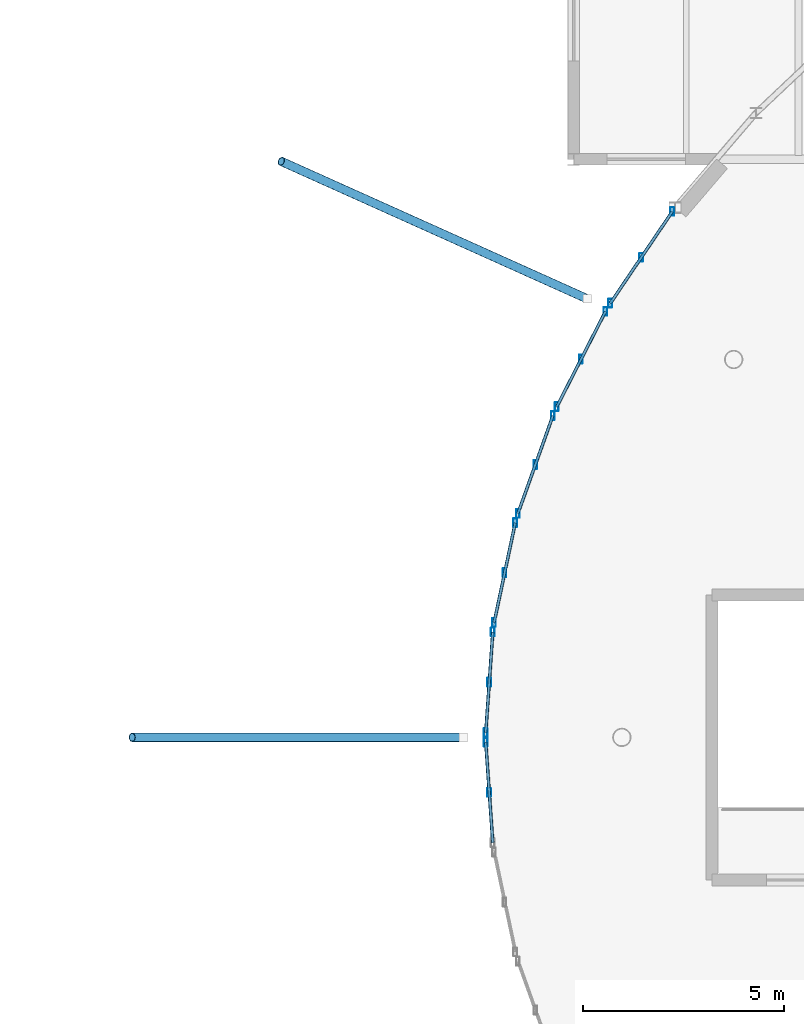
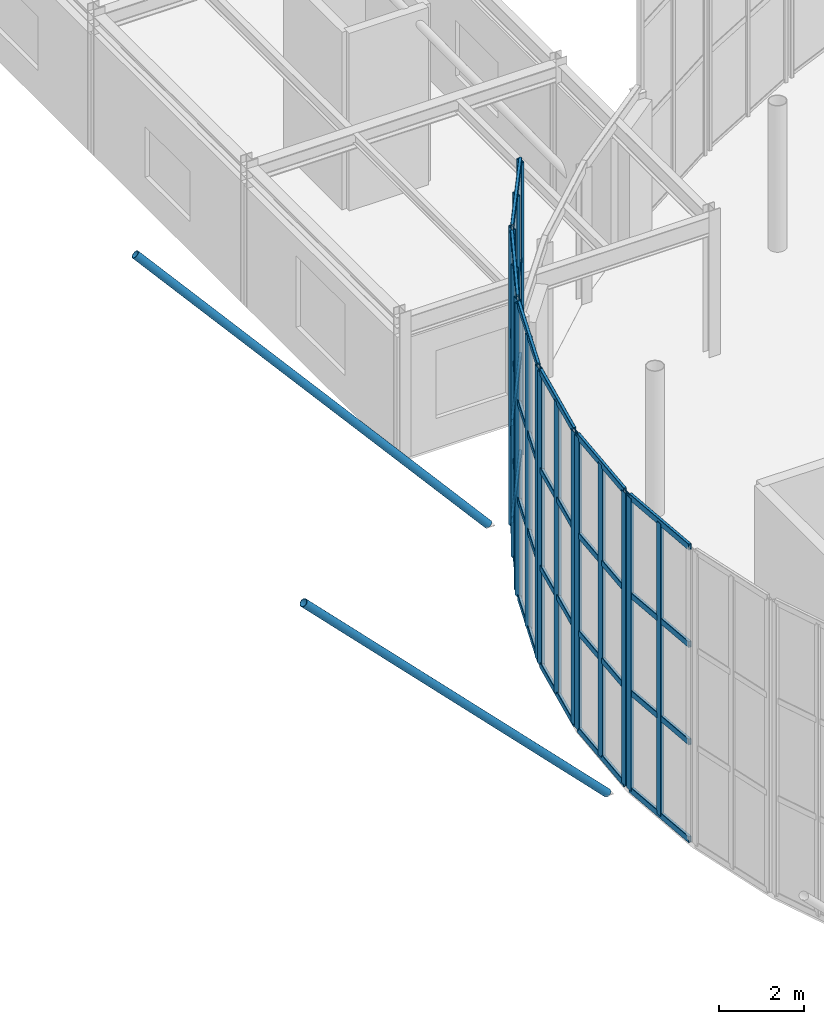
# One storey, part 24 of 109: 43 members, 6 elements without a shape of their own.
"""IFC4 building model written with IfcOpenShell, lengths in metres."""

from ifc_helpers import new_model, si_unit, derived_unit, direction, frame, origin, origin_2d, place, context, subcontext, project, spatial, hollow_rectangle, hollow_circle, extrude, material, material_profile, profile_set, type_object, element, aggregate, save


model = new_model("IFC4")

# Units and contexts
model_context = context("Model", 3, precision=1e-05, world=origin(), true_north=direction((0.0, 1.0)))
body_context = subcontext(model_context, "Body", "Model", "MODEL_VIEW")
ifc_project = project(units=[si_unit("LENGTHUNIT", "METRE"), si_unit("AREAUNIT", "SQUARE_METRE"), si_unit("VOLUMEUNIT", "CUBIC_METRE"), si_unit("PLANEANGLEUNIT", "RADIAN"), si_unit("MASSUNIT", "GRAM", prefix="KILO"), derived_unit("THERMALTRANSMITTANCEUNIT", [(si_unit("MASSUNIT", "GRAM", prefix="KILO"), 1), (si_unit("TIMEUNIT", "SECOND"), -3), (si_unit("THERMODYNAMICTEMPERATUREUNIT", "KELVIN"), -1)])], contexts=[model_context])

# Site, building, storey
site_placement = place(None, origin())
site = spatial("IfcSite", under=ifc_project, at=site_placement, CompositionType="ELEMENT")
building_placement = place(site_placement, origin())
building = spatial("IfcBuilding", under=site, at=building_placement, Name="Kharveza Railside Sports Centre", CompositionType="ELEMENT")
storey_placement = place(building_placement, frame((0.0, 0.0, 4.5)))
storey = spatial("IfcBuildingStorey", under=building, at=storey_placement, Name="L01", CompositionType="ELEMENT", Elevation=4.5)

# Curtain wall, members
ifc_material_1 = material(Name="Low-E solar-control laminated glass", Category="glass")
curtain_wall_type = type_object("IfcCurtainWallType", Name="CW-DR01", PredefinedType="NOTDEFINED", material=ifc_material_1)
curtain_wall_1_placement = place(storey_placement, origin())
curtain_wall_1 = element("IfcCurtainWall", 1, at=curtain_wall_1_placement, inside=storey, type_object=curtain_wall_type, Name="CW-DRUM-28", PredefinedType="NOTDEFINED")
ifc_material_2 = material(Name="Anodised aluminium 6063-T6", Category="aluminium")
ifc_material_profile_1 = material_profile(ifc_material_2, hollow_rectangle(XDim=0.090087890625, YDim=0.219970703125, WallThickness=0.008056640625, InnerFilletRadius=0.008056640625, OuterFilletRadius=0.01611328125, at=origin_2d()), Name="RHS 90x220x8.0")
ifc_profile_set_1 = profile_set([ifc_material_profile_1], Name="Anodised aluminium 6063-T6")
member_type_1 = type_object("IfcMemberType", Name="CW-ML01", PredefinedType="MULLION", material=ifc_profile_set_1)
member_1_placement = place(storey_placement, frame((19.256103515625, 63.499755859375, 0.0), z_axis=(0.0, 0.0, 1.0), x_axis=(1.0, 0.0, 0.0)))
member_1 = element("IfcMember", 2, at=member_1_placement, type_object=member_type_1, Name="CW-DRUM-28-ML1", PredefinedType="MULLION", context=body_context, shape_type="SweptSolid", body=[
    extrude(hollow_rectangle(XDim=0.090087890625, YDim=0.219970703125, WallThickness=0.008056640625, InnerFilletRadius=0.008056640625, OuterFilletRadius=0.01611328125, at=origin_2d()), origin(), (0.0, 0.0, 1.0), 8.39990234375),
])
member_2_placement = place(storey_placement, frame((18.48388671875, 62.357177734375, 0.0), z_axis=(0.0, 0.0, 1.0), x_axis=(1.0, 0.0, 0.0)))
member_2 = element("IfcMember", 3, at=member_2_placement, type_object=member_type_1, Name="CW-DRUM-28-ML2", PredefinedType="MULLION", context=body_context, shape_type="SweptSolid", body=[
    extrude(hollow_rectangle(XDim=0.090087890625, YDim=0.219970703125, WallThickness=0.008056640625, InnerFilletRadius=0.008056640625, OuterFilletRadius=0.01611328125, at=origin_2d()), origin(), (0.0, 0.0, 1.0), 8.39990234375),
])
member_3_placement = place(storey_placement, frame((17.7119140625, 61.214599609375, 0.0), z_axis=(0.0, 0.0, 1.0), x_axis=(1.0, 0.0, 0.0)))
member_3 = element("IfcMember", 4, at=member_3_placement, type_object=member_type_1, Name="CW-DRUM-28-ML3", PredefinedType="MULLION", context=body_context, shape_type="SweptSolid", body=[
    extrude(hollow_rectangle(XDim=0.090087890625, YDim=0.219970703125, WallThickness=0.008056640625, InnerFilletRadius=0.008056640625, OuterFilletRadius=0.01611328125, at=origin_2d()), origin(), (0.0, 0.0, 1.0), 8.39990234375),
])

curtain_wall_2_placement = place(storey_placement, origin())
curtain_wall_2 = element("IfcCurtainWall", 5, at=curtain_wall_2_placement, inside=storey, type_object=curtain_wall_type, Name="CW-DRUM-29", PredefinedType="NOTDEFINED")
member_4_placement = place(storey_placement, frame((17.590087890625, 61.00830078125, 0.0), z_axis=(0.0, 0.0, 1.0), x_axis=(1.0, 0.0, 0.0)))
member_4 = element("IfcMember", 6, at=member_4_placement, type_object=member_type_1, Name="CW-DRUM-29-ML1", PredefinedType="MULLION", context=body_context, shape_type="SweptSolid", body=[
    extrude(hollow_rectangle(XDim=0.090087890625, YDim=0.219970703125, WallThickness=0.008056640625, InnerFilletRadius=0.008056640625, OuterFilletRadius=0.01611328125, at=origin_2d()), origin(), (0.0, 0.0, 1.0), 8.39990234375),
])
member_5_placement = place(storey_placement, frame((16.983642578125, 59.821533203125, 0.0), z_axis=(0.0, 0.0, 1.0), x_axis=(1.0, 0.0, 0.0)))
member_5 = element("IfcMember", 7, at=member_5_placement, type_object=member_type_1, Name="CW-DRUM-29-ML2", PredefinedType="MULLION", context=body_context, shape_type="SweptSolid", body=[
    extrude(hollow_rectangle(XDim=0.090087890625, YDim=0.219970703125, WallThickness=0.008056640625, InnerFilletRadius=0.008056640625, OuterFilletRadius=0.01611328125, at=origin_2d()), origin(), (0.0, 0.0, 1.0), 8.39990234375),
])
member_6_placement = place(storey_placement, frame((16.376953125, 58.634765625, 0.0), z_axis=(0.0, 0.0, 1.0), x_axis=(1.0, 0.0, 0.0)))
member_6 = element("IfcMember", 8, at=member_6_placement, type_object=member_type_1, Name="CW-DRUM-29-ML3", PredefinedType="MULLION", context=body_context, shape_type="SweptSolid", body=[
    extrude(hollow_rectangle(XDim=0.090087890625, YDim=0.219970703125, WallThickness=0.008056640625, InnerFilletRadius=0.008056640625, OuterFilletRadius=0.01611328125, at=origin_2d()), origin(), (0.0, 0.0, 1.0), 8.39990234375),
])

curtain_wall_3_placement = place(storey_placement, origin())
curtain_wall_3 = element("IfcCurtainWall", 9, at=curtain_wall_3_placement, inside=storey, type_object=curtain_wall_type, Name="CW-DRUM-30", PredefinedType="NOTDEFINED")
member_7_placement = place(storey_placement, frame((16.281982421875, 58.4150390625, 0.0), z_axis=(0.0, 0.0, 1.0), x_axis=(1.0, 0.0, 0.0)))
member_7 = element("IfcMember", 10, at=member_7_placement, type_object=member_type_1, Name="CW-DRUM-30-ML1", PredefinedType="MULLION", context=body_context, shape_type="SweptSolid", body=[
    extrude(hollow_rectangle(XDim=0.090087890625, YDim=0.219970703125, WallThickness=0.008056640625, InnerFilletRadius=0.008056640625, OuterFilletRadius=0.01611328125, at=origin_2d()), origin(), (0.0, 0.0, 1.0), 8.39990234375),
])
member_8_placement = place(storey_placement, frame((15.845458984375, 57.1953125, 0.0), z_axis=(0.0, 0.0, 1.0), x_axis=(1.0, 0.0, 0.0)))
member_8 = element("IfcMember", 11, at=member_8_placement, type_object=member_type_1, Name="CW-DRUM-30-ML2", PredefinedType="MULLION", context=body_context, shape_type="SweptSolid", body=[
    extrude(hollow_rectangle(XDim=0.090087890625, YDim=0.219970703125, WallThickness=0.008056640625, InnerFilletRadius=0.008056640625, OuterFilletRadius=0.01611328125, at=origin_2d()), origin(), (0.0, 0.0, 1.0), 8.39990234375),
])
member_9_placement = place(storey_placement, frame((15.408935546875, 55.9755859375, 0.0), z_axis=(0.0, 0.0, 1.0), x_axis=(1.0, 0.0, 0.0)))
member_9 = element("IfcMember", 12, at=member_9_placement, type_object=member_type_1, Name="CW-DRUM-30-ML3", PredefinedType="MULLION", context=body_context, shape_type="SweptSolid", body=[
    extrude(hollow_rectangle(XDim=0.090087890625, YDim=0.219970703125, WallThickness=0.008056640625, InnerFilletRadius=0.008056640625, OuterFilletRadius=0.01611328125, at=origin_2d()), origin(), (0.0, 0.0, 1.0), 8.39990234375),
])

curtain_wall_4_placement = place(storey_placement, origin())
curtain_wall_4 = element("IfcCurtainWall", 13, at=curtain_wall_4_placement, inside=storey, type_object=curtain_wall_type, Name="CW-DRUM-31", PredefinedType="NOTDEFINED")
member_10_placement = place(storey_placement, frame((15.34375, 55.7451171875, 0.0), z_axis=(0.0, 0.0, 1.0), x_axis=(1.0, 0.0, 0.0)))
member_10 = element("IfcMember", 14, at=member_10_placement, type_object=member_type_1, Name="CW-DRUM-31-ML1", PredefinedType="MULLION", context=body_context, shape_type="SweptSolid", body=[
    extrude(hollow_rectangle(XDim=0.090087890625, YDim=0.219970703125, WallThickness=0.008056640625, InnerFilletRadius=0.008056640625, OuterFilletRadius=0.01611328125, at=origin_2d()), origin(), (0.0, 0.0, 1.0), 8.39990234375),
])
member_11_placement = place(storey_placement, frame((15.08056640625, 54.50341796875, 0.0), z_axis=(0.0, 0.0, 1.0), x_axis=(1.0, 0.0, 0.0)))
member_11 = element("IfcMember", 15, at=member_11_placement, type_object=member_type_1, Name="CW-DRUM-31-ML2", PredefinedType="MULLION", context=body_context, shape_type="SweptSolid", body=[
    extrude(hollow_rectangle(XDim=0.090087890625, YDim=0.219970703125, WallThickness=0.008056640625, InnerFilletRadius=0.008056640625, OuterFilletRadius=0.01611328125, at=origin_2d()), origin(), (0.0, 0.0, 1.0), 8.39990234375),
])
member_12_placement = place(storey_placement, frame((14.8173828125, 53.261962890625, 0.0), z_axis=(0.0, 0.0, 1.0), x_axis=(1.0, 0.0, 0.0)))
member_12 = element("IfcMember", 16, at=member_12_placement, type_object=member_type_1, Name="CW-DRUM-31-ML3", PredefinedType="MULLION", context=body_context, shape_type="SweptSolid", body=[
    extrude(hollow_rectangle(XDim=0.090087890625, YDim=0.219970703125, WallThickness=0.008056640625, InnerFilletRadius=0.008056640625, OuterFilletRadius=0.01611328125, at=origin_2d()), origin(), (0.0, 0.0, 1.0), 8.39990234375),
])

curtain_wall_5_placement = place(storey_placement, origin())
curtain_wall_5 = element("IfcCurtainWall", 17, at=curtain_wall_5_placement, inside=storey, type_object=curtain_wall_type, Name="CW-DRUM-32", PredefinedType="NOTDEFINED")
member_13_placement = place(storey_placement, frame((14.7841796875, 53.02490234375, 0.0), z_axis=(0.0, 0.0, 1.0), x_axis=(1.0, 0.0, 0.0)))
member_13 = element("IfcMember", 18, at=member_13_placement, type_object=member_type_1, Name="CW-DRUM-32-ML1", PredefinedType="MULLION", context=body_context, shape_type="SweptSolid", body=[
    extrude(hollow_rectangle(XDim=0.090087890625, YDim=0.219970703125, WallThickness=0.008056640625, InnerFilletRadius=0.008056640625, OuterFilletRadius=0.01611328125, at=origin_2d()), origin(), (0.0, 0.0, 1.0), 8.39990234375),
])
member_14_placement = place(storey_placement, frame((14.6962890625, 51.772216796875, 0.0), z_axis=(0.0, 0.0, 1.0), x_axis=(1.0, 0.0, 0.0)))
member_14 = element("IfcMember", 19, at=member_14_placement, type_object=member_type_1, Name="CW-DRUM-32-ML2", PredefinedType="MULLION", context=body_context, shape_type="SweptSolid", body=[
    extrude(hollow_rectangle(XDim=0.090087890625, YDim=0.219970703125, WallThickness=0.008056640625, InnerFilletRadius=0.008056640625, OuterFilletRadius=0.01611328125, at=origin_2d()), origin(), (0.0, 0.0, 1.0), 8.39990234375),
])
member_15_placement = place(storey_placement, frame((14.6083984375, 50.519775390625, 0.0), z_axis=(0.0, 0.0, 1.0), x_axis=(1.0, 0.0, 0.0)))
member_15 = element("IfcMember", 20, at=member_15_placement, type_object=member_type_1, Name="CW-DRUM-32-ML3", PredefinedType="MULLION", context=body_context, shape_type="SweptSolid", body=[
    extrude(hollow_rectangle(XDim=0.090087890625, YDim=0.219970703125, WallThickness=0.008056640625, InnerFilletRadius=0.008056640625, OuterFilletRadius=0.01611328125, at=origin_2d()), origin(), (0.0, 0.0, 1.0), 8.39990234375),
])

curtain_wall_6_placement = place(storey_placement, origin())
curtain_wall_6 = element("IfcCurtainWall", 21, at=curtain_wall_6_placement, inside=storey, type_object=curtain_wall_type, Name="CW-DRUM-33", PredefinedType="NOTDEFINED")
member_16_placement = place(storey_placement, frame((14.6083984375, 50.2802734375, 0.0), z_axis=(0.0, 0.0, 1.0), x_axis=(1.0, 0.0, 0.0)))
member_16 = element("IfcMember", 22, at=member_16_placement, type_object=member_type_1, Name="CW-DRUM-33-ML1", PredefinedType="MULLION", context=body_context, shape_type="SweptSolid", body=[
    extrude(hollow_rectangle(XDim=0.090087890625, YDim=0.219970703125, WallThickness=0.008056640625, InnerFilletRadius=0.008056640625, OuterFilletRadius=0.01611328125, at=origin_2d()), origin(), (0.0, 0.0, 1.0), 8.39990234375),
])
member_17_placement = place(storey_placement, frame((14.6962890625, 49.02783203125, 0.0), z_axis=(0.0, 0.0, 1.0), x_axis=(1.0, 0.0, 0.0)))
member_17 = element("IfcMember", 23, at=member_17_placement, type_object=member_type_1, Name="CW-DRUM-33-ML2", PredefinedType="MULLION", context=body_context, shape_type="SweptSolid", body=[
    extrude(hollow_rectangle(XDim=0.090087890625, YDim=0.219970703125, WallThickness=0.008056640625, InnerFilletRadius=0.008056640625, OuterFilletRadius=0.01611328125, at=origin_2d()), origin(), (0.0, 0.0, 1.0), 8.39990234375),
])

# Member
ifc_material_profile_2 = material_profile(ifc_material_2, hollow_rectangle(XDim=0.080078125, YDim=0.179931640625, WallThickness=0.00634765625, InnerFilletRadius=0.00634765625, OuterFilletRadius=0.0126953125, at=origin_2d()), Name="RHS 80x180x6.3")
ifc_profile_set_2 = profile_set([ifc_material_profile_2], Name="Anodised aluminium 6063-T6")
member_type_2 = type_object("IfcMemberType", Name="CW-TR01", PredefinedType="USERDEFINED", material=ifc_profile_set_2)
member_18_placement = place(storey_placement, frame((19.256103515625, 63.499755859375, 0.0), z_axis=(-0.559898474976, -0.828561221467, 0.0), x_axis=(0.828561221467, -0.559898474976, 0.0)))
member_18 = element("IfcMember", 24, at=member_18_placement, type_object=member_type_2, Name="CW-DRUM-28-TR1", ObjectType="TRANSOM", PredefinedType="USERDEFINED", context=body_context, shape_type="SweptSolid", body=[
    extrude(hollow_rectangle(XDim=0.080078125, YDim=0.179931640625, WallThickness=0.00634765625, InnerFilletRadius=0.00634765625, OuterFilletRadius=0.0126953125, at=origin_2d()), origin(), (0.0, 0.0, 1.0), 2.758056640625),
])

member_19_placement = place(storey_placement, frame((19.256103515625, 63.499755859375, 2.800048828125), z_axis=(-0.559898474976, -0.828561221467, 0.0), x_axis=(0.828561221467, -0.559898474976, 0.0)))
member_19 = element("IfcMember", 25, at=member_19_placement, type_object=member_type_2, Name="CW-DRUM-28-TR2", ObjectType="TRANSOM", PredefinedType="USERDEFINED", context=body_context, shape_type="SweptSolid", body=[
    extrude(hollow_rectangle(XDim=0.080078125, YDim=0.179931640625, WallThickness=0.00634765625, InnerFilletRadius=0.00634765625, OuterFilletRadius=0.0126953125, at=origin_2d()), origin(), (0.0, 0.0, 1.0), 2.758056640625),
])

member_20_placement = place(storey_placement, frame((19.256103515625, 63.499755859375, 5.60009765625), z_axis=(-0.559898474976, -0.828561221467, 0.0), x_axis=(0.828561221467, -0.559898474976, 0.0)))
member_20 = element("IfcMember", 26, at=member_20_placement, type_object=member_type_2, Name="CW-DRUM-28-TR3", ObjectType="TRANSOM", PredefinedType="USERDEFINED", context=body_context, shape_type="SweptSolid", body=[
    extrude(hollow_rectangle(XDim=0.080078125, YDim=0.179931640625, WallThickness=0.00634765625, InnerFilletRadius=0.00634765625, OuterFilletRadius=0.0126953125, at=origin_2d()), origin(), (0.0, 0.0, 1.0), 2.758056640625),
])

member_21_placement = place(storey_placement, frame((19.256103515625, 63.499755859375, 8.39990234375), z_axis=(-0.559898474976, -0.828561221467, 0.0), x_axis=(0.828561221467, -0.559898474976, 0.0)))
member_21 = element("IfcMember", 27, at=member_21_placement, type_object=member_type_2, Name="CW-DRUM-28-TR4", ObjectType="TRANSOM", PredefinedType="USERDEFINED", context=body_context, shape_type="SweptSolid", body=[
    extrude(hollow_rectangle(XDim=0.080078125, YDim=0.179931640625, WallThickness=0.00634765625, InnerFilletRadius=0.00634765625, OuterFilletRadius=0.0126953125, at=origin_2d()), origin(), (0.0, 0.0, 1.0), 2.758056640625),
])

aggregate(curtain_wall_1, [member_1, member_2, member_3, member_18, member_19, member_20, member_21])

member_22_placement = place(storey_placement, frame((17.590087890625, 61.00830078125, 0.0), z_axis=(-0.45510944603, -0.890435507004, 0.0), x_axis=(0.890435507004, -0.45510944603, 0.0)))
member_22 = element("IfcMember", 28, at=member_22_placement, type_object=member_type_2, Name="CW-DRUM-29-TR1", ObjectType="TRANSOM", PredefinedType="USERDEFINED", context=body_context, shape_type="SweptSolid", body=[
    extrude(hollow_rectangle(XDim=0.080078125, YDim=0.179931640625, WallThickness=0.00634765625, InnerFilletRadius=0.00634765625, OuterFilletRadius=0.0126953125, at=origin_2d()), origin(), (0.0, 0.0, 1.0), 2.66552734375),
])

member_23_placement = place(storey_placement, frame((17.590087890625, 61.00830078125, 2.800048828125), z_axis=(-0.45510944603, -0.890435507004, 0.0), x_axis=(0.890435507004, -0.45510944603, 0.0)))
member_23 = element("IfcMember", 29, at=member_23_placement, type_object=member_type_2, Name="CW-DRUM-29-TR2", ObjectType="TRANSOM", PredefinedType="USERDEFINED", context=body_context, shape_type="SweptSolid", body=[
    extrude(hollow_rectangle(XDim=0.080078125, YDim=0.179931640625, WallThickness=0.00634765625, InnerFilletRadius=0.00634765625, OuterFilletRadius=0.0126953125, at=origin_2d()), origin(), (0.0, 0.0, 1.0), 2.66552734375),
])

member_24_placement = place(storey_placement, frame((17.590087890625, 61.00830078125, 5.60009765625), z_axis=(-0.45510944603, -0.890435507004, 0.0), x_axis=(0.890435507004, -0.45510944603, 0.0)))
member_24 = element("IfcMember", 30, at=member_24_placement, type_object=member_type_2, Name="CW-DRUM-29-TR3", ObjectType="TRANSOM", PredefinedType="USERDEFINED", context=body_context, shape_type="SweptSolid", body=[
    extrude(hollow_rectangle(XDim=0.080078125, YDim=0.179931640625, WallThickness=0.00634765625, InnerFilletRadius=0.00634765625, OuterFilletRadius=0.0126953125, at=origin_2d()), origin(), (0.0, 0.0, 1.0), 2.66552734375),
])

member_25_placement = place(storey_placement, frame((17.590087890625, 61.00830078125, 8.39990234375), z_axis=(-0.45510944603, -0.890435507004, 0.0), x_axis=(0.890435507004, -0.45510944603, 0.0)))
member_25 = element("IfcMember", 31, at=member_25_placement, type_object=member_type_2, Name="CW-DRUM-29-TR4", ObjectType="TRANSOM", PredefinedType="USERDEFINED", context=body_context, shape_type="SweptSolid", body=[
    extrude(hollow_rectangle(XDim=0.080078125, YDim=0.179931640625, WallThickness=0.00634765625, InnerFilletRadius=0.00634765625, OuterFilletRadius=0.0126953125, at=origin_2d()), origin(), (0.0, 0.0, 1.0), 2.66552734375),
])

aggregate(curtain_wall_2, [member_4, member_5, member_6, member_22, member_23, member_24, member_25])

member_26_placement = place(storey_placement, frame((16.281982421875, 58.4150390625, 0.0), z_axis=(-0.336957116083, -0.941519995497, 0.0), x_axis=(0.941519995497, -0.336957116083, 0.0)))
member_26 = element("IfcMember", 32, at=member_26_placement, type_object=member_type_2, Name="CW-DRUM-30-TR1", ObjectType="TRANSOM", PredefinedType="USERDEFINED", context=body_context, shape_type="SweptSolid", body=[
    extrude(hollow_rectangle(XDim=0.080078125, YDim=0.179931640625, WallThickness=0.00634765625, InnerFilletRadius=0.00634765625, OuterFilletRadius=0.0126953125, at=origin_2d()), origin(), (0.0, 0.0, 1.0), 2.591064453125),
])

member_27_placement = place(storey_placement, frame((16.281982421875, 58.4150390625, 2.800048828125), z_axis=(-0.336957116083, -0.941519995497, 0.0), x_axis=(0.941519995497, -0.336957116083, 0.0)))
member_27 = element("IfcMember", 33, at=member_27_placement, type_object=member_type_2, Name="CW-DRUM-30-TR2", ObjectType="TRANSOM", PredefinedType="USERDEFINED", context=body_context, shape_type="SweptSolid", body=[
    extrude(hollow_rectangle(XDim=0.080078125, YDim=0.179931640625, WallThickness=0.00634765625, InnerFilletRadius=0.00634765625, OuterFilletRadius=0.0126953125, at=origin_2d()), origin(), (0.0, 0.0, 1.0), 2.591064453125),
])

member_28_placement = place(storey_placement, frame((16.281982421875, 58.4150390625, 5.60009765625), z_axis=(-0.336957116083, -0.941519995497, 0.0), x_axis=(0.941519995497, -0.336957116083, 0.0)))
member_28 = element("IfcMember", 34, at=member_28_placement, type_object=member_type_2, Name="CW-DRUM-30-TR3", ObjectType="TRANSOM", PredefinedType="USERDEFINED", context=body_context, shape_type="SweptSolid", body=[
    extrude(hollow_rectangle(XDim=0.080078125, YDim=0.179931640625, WallThickness=0.00634765625, InnerFilletRadius=0.00634765625, OuterFilletRadius=0.0126953125, at=origin_2d()), origin(), (0.0, 0.0, 1.0), 2.591064453125),
])

member_29_placement = place(storey_placement, frame((16.281982421875, 58.4150390625, 8.39990234375), z_axis=(-0.336957116083, -0.941519995497, 0.0), x_axis=(0.941519995497, -0.336957116083, 0.0)))
member_29 = element("IfcMember", 35, at=member_29_placement, type_object=member_type_2, Name="CW-DRUM-30-TR4", ObjectType="TRANSOM", PredefinedType="USERDEFINED", context=body_context, shape_type="SweptSolid", body=[
    extrude(hollow_rectangle(XDim=0.080078125, YDim=0.179931640625, WallThickness=0.00634765625, InnerFilletRadius=0.00634765625, OuterFilletRadius=0.0126953125, at=origin_2d()), origin(), (0.0, 0.0, 1.0), 2.591064453125),
])

aggregate(curtain_wall_3, [member_7, member_8, member_9, member_26, member_27, member_28, member_29])

member_30_placement = place(storey_placement, frame((15.34375, 55.7451171875, 0.0), z_axis=(-0.207367540552, -0.978263105266, 0.0), x_axis=(0.978263105266, -0.207367540552, 0.0)))
member_30 = element("IfcMember", 36, at=member_30_placement, type_object=member_type_2, Name="CW-DRUM-31-TR1", ObjectType="TRANSOM", PredefinedType="USERDEFINED", context=body_context, shape_type="SweptSolid", body=[
    extrude(hollow_rectangle(XDim=0.080078125, YDim=0.179931640625, WallThickness=0.00634765625, InnerFilletRadius=0.00634765625, OuterFilletRadius=0.0126953125, at=origin_2d()), origin(), (0.0, 0.0, 1.0), 2.538330078125),
])

member_31_placement = place(storey_placement, frame((15.34375, 55.7451171875, 2.800048828125), z_axis=(-0.207367540552, -0.978263105266, 0.0), x_axis=(0.978263105266, -0.207367540552, 0.0)))
member_31 = element("IfcMember", 37, at=member_31_placement, type_object=member_type_2, Name="CW-DRUM-31-TR2", ObjectType="TRANSOM", PredefinedType="USERDEFINED", context=body_context, shape_type="SweptSolid", body=[
    extrude(hollow_rectangle(XDim=0.080078125, YDim=0.179931640625, WallThickness=0.00634765625, InnerFilletRadius=0.00634765625, OuterFilletRadius=0.0126953125, at=origin_2d()), origin(), (0.0, 0.0, 1.0), 2.538330078125),
])

member_32_placement = place(storey_placement, frame((15.34375, 55.7451171875, 5.60009765625), z_axis=(-0.207367540552, -0.978263105266, 0.0), x_axis=(0.978263105266, -0.207367540552, 0.0)))
member_32 = element("IfcMember", 38, at=member_32_placement, type_object=member_type_2, Name="CW-DRUM-31-TR3", ObjectType="TRANSOM", PredefinedType="USERDEFINED", context=body_context, shape_type="SweptSolid", body=[
    extrude(hollow_rectangle(XDim=0.080078125, YDim=0.179931640625, WallThickness=0.00634765625, InnerFilletRadius=0.00634765625, OuterFilletRadius=0.0126953125, at=origin_2d()), origin(), (0.0, 0.0, 1.0), 2.538330078125),
])

member_33_placement = place(storey_placement, frame((15.34375, 55.7451171875, 8.39990234375), z_axis=(-0.207367540552, -0.978263105266, 0.0), x_axis=(0.978263105266, -0.207367540552, 0.0)))
member_33 = element("IfcMember", 39, at=member_33_placement, type_object=member_type_2, Name="CW-DRUM-31-TR4", ObjectType="TRANSOM", PredefinedType="USERDEFINED", context=body_context, shape_type="SweptSolid", body=[
    extrude(hollow_rectangle(XDim=0.080078125, YDim=0.179931640625, WallThickness=0.00634765625, InnerFilletRadius=0.00634765625, OuterFilletRadius=0.0126953125, at=origin_2d()), origin(), (0.0, 0.0, 1.0), 2.538330078125),
])

aggregate(curtain_wall_4, [member_10, member_11, member_12, member_30, member_31, member_32, member_33])

member_34_placement = place(storey_placement, frame((14.7841796875, 53.02490234375, 0.0), z_axis=(-0.069996492641, -0.997547237487, 0.0), x_axis=(0.997547237487, -0.069996492641, 0.0)))
member_34 = element("IfcMember", 40, at=member_34_placement, type_object=member_type_2, Name="CW-DRUM-32-TR1", ObjectType="TRANSOM", PredefinedType="USERDEFINED", context=body_context, shape_type="SweptSolid", body=[
    extrude(hollow_rectangle(XDim=0.080078125, YDim=0.179931640625, WallThickness=0.00634765625, InnerFilletRadius=0.00634765625, OuterFilletRadius=0.0126953125, at=origin_2d()), origin(), (0.0, 0.0, 1.0), 2.51123046875),
])

member_35_placement = place(storey_placement, frame((14.7841796875, 53.02490234375, 2.800048828125), z_axis=(-0.069996492641, -0.997547237487, 0.0), x_axis=(0.997547237487, -0.069996492641, 0.0)))
member_35 = element("IfcMember", 41, at=member_35_placement, type_object=member_type_2, Name="CW-DRUM-32-TR2", ObjectType="TRANSOM", PredefinedType="USERDEFINED", context=body_context, shape_type="SweptSolid", body=[
    extrude(hollow_rectangle(XDim=0.080078125, YDim=0.179931640625, WallThickness=0.00634765625, InnerFilletRadius=0.00634765625, OuterFilletRadius=0.0126953125, at=origin_2d()), origin(), (0.0, 0.0, 1.0), 2.51123046875),
])

member_36_placement = place(storey_placement, frame((14.7841796875, 53.02490234375, 5.60009765625), z_axis=(-0.069996492641, -0.997547237487, 0.0), x_axis=(0.997547237487, -0.069996492641, 0.0)))
member_36 = element("IfcMember", 42, at=member_36_placement, type_object=member_type_2, Name="CW-DRUM-32-TR3", ObjectType="TRANSOM", PredefinedType="USERDEFINED", context=body_context, shape_type="SweptSolid", body=[
    extrude(hollow_rectangle(XDim=0.080078125, YDim=0.179931640625, WallThickness=0.00634765625, InnerFilletRadius=0.00634765625, OuterFilletRadius=0.0126953125, at=origin_2d()), origin(), (0.0, 0.0, 1.0), 2.51123046875),
])

member_37_placement = place(storey_placement, frame((14.7841796875, 53.02490234375, 8.39990234375), z_axis=(-0.069996492641, -0.997547237487, 0.0), x_axis=(0.997547237487, -0.069996492641, 0.0)))
member_37 = element("IfcMember", 43, at=member_37_placement, type_object=member_type_2, Name="CW-DRUM-32-TR4", ObjectType="TRANSOM", PredefinedType="USERDEFINED", context=body_context, shape_type="SweptSolid", body=[
    extrude(hollow_rectangle(XDim=0.080078125, YDim=0.179931640625, WallThickness=0.00634765625, InnerFilletRadius=0.00634765625, OuterFilletRadius=0.0126953125, at=origin_2d()), origin(), (0.0, 0.0, 1.0), 2.51123046875),
])

aggregate(curtain_wall_5, [member_13, member_14, member_15, member_34, member_35, member_36, member_37])

member_38_placement = place(storey_placement, frame((14.6083984375, 50.2802734375, 0.0), z_axis=(0.069996492641, -0.997547237487, 0.0), x_axis=(0.997547237487, 0.069996492641, 0.0)))
member_38 = element("IfcMember", 44, at=member_38_placement, type_object=member_type_2, Name="CW-DRUM-33-TR1", ObjectType="TRANSOM", PredefinedType="USERDEFINED", context=body_context, shape_type="SweptSolid", body=[
    extrude(hollow_rectangle(XDim=0.080078125, YDim=0.179931640625, WallThickness=0.00634765625, InnerFilletRadius=0.00634765625, OuterFilletRadius=0.0126953125, at=origin_2d()), origin(), (0.0, 0.0, 1.0), 2.51123046875),
])

member_39_placement = place(storey_placement, frame((14.6083984375, 50.2802734375, 2.800048828125), z_axis=(0.069996492641, -0.997547237487, 0.0), x_axis=(0.997547237487, 0.069996492641, 0.0)))
member_39 = element("IfcMember", 45, at=member_39_placement, type_object=member_type_2, Name="CW-DRUM-33-TR2", ObjectType="TRANSOM", PredefinedType="USERDEFINED", context=body_context, shape_type="SweptSolid", body=[
    extrude(hollow_rectangle(XDim=0.080078125, YDim=0.179931640625, WallThickness=0.00634765625, InnerFilletRadius=0.00634765625, OuterFilletRadius=0.0126953125, at=origin_2d()), origin(), (0.0, 0.0, 1.0), 2.51123046875),
])

member_40_placement = place(storey_placement, frame((14.6083984375, 50.2802734375, 5.60009765625), z_axis=(0.069996492641, -0.997547237487, 0.0), x_axis=(0.997547237487, 0.069996492641, 0.0)))
member_40 = element("IfcMember", 46, at=member_40_placement, type_object=member_type_2, Name="CW-DRUM-33-TR3", ObjectType="TRANSOM", PredefinedType="USERDEFINED", context=body_context, shape_type="SweptSolid", body=[
    extrude(hollow_rectangle(XDim=0.080078125, YDim=0.179931640625, WallThickness=0.00634765625, InnerFilletRadius=0.00634765625, OuterFilletRadius=0.0126953125, at=origin_2d()), origin(), (0.0, 0.0, 1.0), 2.51123046875),
])

member_41_placement = place(storey_placement, frame((14.6083984375, 50.2802734375, 8.39990234375), z_axis=(0.069996492641, -0.997547237487, 0.0), x_axis=(0.997547237487, 0.069996492641, 0.0)))
member_41 = element("IfcMember", 47, at=member_41_placement, type_object=member_type_2, Name="CW-DRUM-33-TR4", ObjectType="TRANSOM", PredefinedType="USERDEFINED", context=body_context, shape_type="SweptSolid", body=[
    extrude(hollow_rectangle(XDim=0.080078125, YDim=0.179931640625, WallThickness=0.00634765625, InnerFilletRadius=0.00634765625, OuterFilletRadius=0.0126953125, at=origin_2d()), origin(), (0.0, 0.0, 1.0), 2.51123046875),
])

aggregate(curtain_wall_6, [member_16, member_17, member_38, member_39, member_40, member_41])

# Members
ifc_material_3 = material(Name="Steel S355J2", Category="steel")
ifc_material_profile_3 = material_profile(ifc_material_3, hollow_circle(Radius=0.109619140625, WallThickness=0.012451171875, at=origin_2d()), Name="CHS 219.1x12.5")
ifc_profile_set_3 = profile_set([ifc_material_profile_3], Name="Steel S355J2")
member_type_3 = type_object("IfcMemberType", Name="MB-ST01", PredefinedType="STRUT", material=ifc_profile_set_3)
member_42_placement = place(storey_placement, frame((17.13671875, 61.32568359375, 0.0), z_axis=(-0.64522175877, 0.289915785779, 0.706850563532), x_axis=(-0.409854380694, -0.912150967015, 0.0)))
element("IfcMember", 48, at=member_42_placement, inside=storey, type_object=member_type_3, Name="MB-RAKER-LID-08", PredefinedType="STRUT", context=body_context, shape_type="SweptSolid", body=[
    extrude(hollow_circle(Radius=0.109619140625, WallThickness=0.012451171875, at=origin_2d()), origin(), (0.0, 0.0, 1.0), 11.81298828125),
])
member_43_placement = place(storey_placement, frame((14.050048828125, 50.39990234375, 0.0), z_axis=(-0.702830189607, 0.0, 0.711357662907), x_axis=(0.0, -1.0, 0.0)))
element("IfcMember", 49, at=member_43_placement, inside=storey, type_object=member_type_3, Name="MB-RAKER-LID-09", PredefinedType="STRUT", context=body_context, shape_type="SweptSolid", body=[
    extrude(hollow_circle(Radius=0.109619140625, WallThickness=0.012451171875, at=origin_2d()), origin(), (0.0, 0.0, 1.0), 11.73828125),
])

save(model, "model.ifc")
